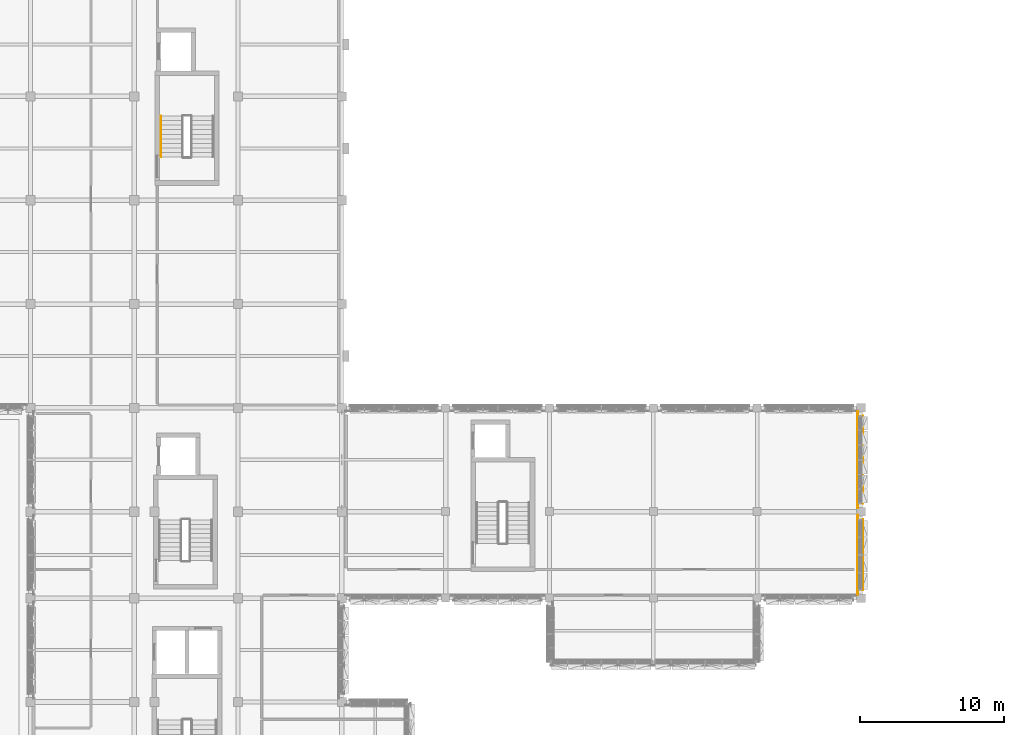
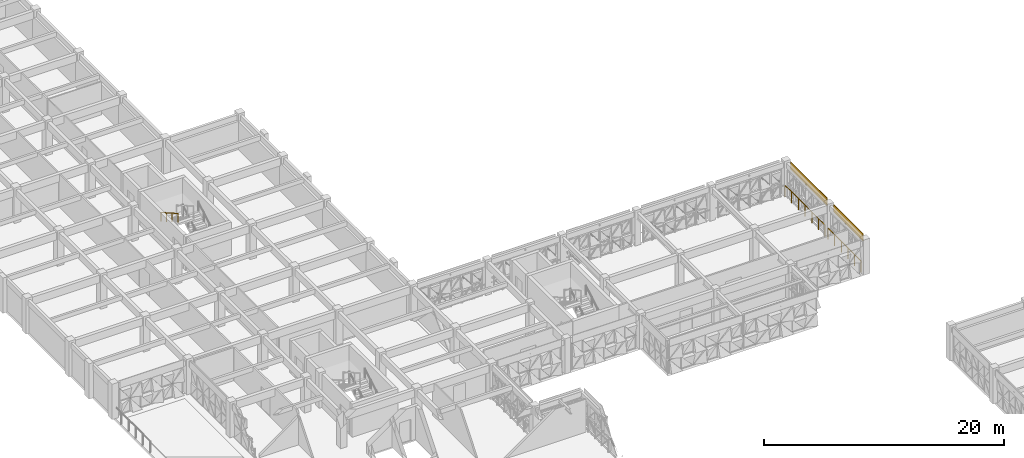
# One storey, part 74 of 85: 3 railings, 2 coverings.
"""IFC4 building model written with IfcOpenShell, lengths in metres."""

from ifc_helpers import new_model, si_unit, direction, frame, origin, origin_2d, place, context, subcontext, project, spatial, polyline, circle, outline, extrude, material, layer, layer_set, type_object, element, save


model = new_model("IFC4")

# Units and contexts
model_context = context("Model", 3, precision=1e-05, world=origin(), true_north=direction((0.0, 1.0)))
body_context = subcontext(model_context, "Body", "Model", "MODEL_VIEW")
ifc_project = project(units=[si_unit("LENGTHUNIT", "METRE"), si_unit("AREAUNIT", "SQUARE_METRE"), si_unit("VOLUMEUNIT", "CUBIC_METRE"), si_unit("PLANEANGLEUNIT", "RADIAN"), si_unit("MASSUNIT", "GRAM", prefix="KILO")], contexts=[model_context])

# Site, building, storey
site_placement = place(None, origin())
site = spatial("IfcSite", under=ifc_project, at=site_placement, CompositionType="ELEMENT")
building_placement = place(site_placement, origin())
building = spatial("IfcBuilding", under=site, at=building_placement, Name="Alvorim Cloister Faculty of Sciences", CompositionType="ELEMENT")
storey_placement = place(building_placement, frame((0.0, 0.0, 8.550048828125)))
storey = spatial("IfcBuildingStorey", under=building, at=storey_placement, Name="L02", CompositionType="ELEMENT", Elevation=8.550048828125)

# Coverings
ifc_material_1 = material(Name="Anodised Aluminium Alloy 6063-T6", Category="aluminium")
ifc_layer = layer(ifc_material_1, 0.031982421875)
ifc_layer_set = layer_set([ifc_layer], Name="Anodised Aluminium Alloy 6063-T6")
covering_type = type_object("IfcCoveringType", Name="COV-FAC-CAS", PredefinedType="CLADDING", material=ifc_layer_set)
covering_1_placement = place(storey_placement, frame((64.949951171875, 49.739990234375, 2.829833984375), z_axis=(0.0, 0.0, 1.0), x_axis=(0.0, 1.0, 0.0)))
element("IfcCovering", 1, at=covering_1_placement, inside=storey, type_object=covering_type, Name="L02 Shifted Bar Slab-Edge Architectural Fascia", PredefinedType="CLADDING", context=body_context, shape_type="SweptSolid", body=[
    extrude(outline(polyline([(0.0, 0.0), (6.1201171875, 0.0), (6.1201171875, 0.760009765625), (0.0, 0.760009765625), (0.0, 0.0)])), frame((0.0, 0.0224609375, 0.0), z_axis=(0.0, -1.0, 0.0), x_axis=(1.0, 0.0, 0.0)), (0.0, 0.0, 1.0), 0.044921875),
])
covering_2_placement = place(storey_placement, frame((64.949951171875, 43.739990234375, 2.829833984375), z_axis=(0.0, 0.0, 1.0), x_axis=(0.0, 1.0, 0.0)))
element("IfcCovering", 2, at=covering_2_placement, inside=storey, type_object=covering_type, Name="L02 Shifted Bar Slab-Edge Architectural Fascia", PredefinedType="CLADDING", context=body_context, shape_type="SweptSolid", body=[
    extrude(outline(polyline([(0.0, 0.0), (4.919921875, 0.0), (4.919921875, 0.760009765625), (0.0, 0.760009765625), (0.0, 0.0)])), frame((0.0, 0.0224609375, 0.0), z_axis=(0.0, -1.0, 0.0), x_axis=(1.0, 0.0, 0.0)), (0.0, 0.0, 1.0), 0.044921875),
])

# Railings
ifc_material_2 = material(Name="Laminated Safety Glass and Bronze", Category="glass")
railing_type_1 = type_object("IfcRailingType", Name="RL-ATR-BAL-1150", PredefinedType="BALUSTRADE", material=ifc_material_2)
railing_1_placement = place(storey_placement, frame((64.580078125, 49.449951171875, 0.0)))
element("IfcRailing", 3, at=railing_1_placement, inside=storey, type_object=railing_type_1, Name="L02 Curtain Wall Sill Guard BL-55", PredefinedType="BALUSTRADE", context=body_context, shape_type="SweptSolid", body=[
    extrude(circle(Radius=0.02392578125, at=origin_2d()), frame((0.0, 0.0, 1.1259765625), z_axis=(0.0, 1.0, 0.0), x_axis=(-1.0, 0.0, 0.0)), (0.0, 0.0, 1.0), 6.699951171875),
    extrude(circle(Radius=0.02099609375, at=origin_2d()), origin(), (0.0, 0.0, 1.0), 1.101806640625),
    extrude(circle(Radius=0.02099609375, at=origin_2d()), frame((0.0, 1.11669921875, 0.0)), (0.0, 0.0, 1.0), 1.101806640625),
    extrude(circle(Radius=0.02099609375, at=origin_2d()), frame((0.0, 2.2333984375, 0.0)), (0.0, 0.0, 1.0), 1.101806640625),
    extrude(circle(Radius=0.02099609375, at=origin_2d()), frame((0.0, 3.35009765625, 0.0)), (0.0, 0.0, 1.0), 1.101806640625),
    extrude(circle(Radius=0.02099609375, at=origin_2d()), frame((0.0, 4.466552734375, 0.0)), (0.0, 0.0, 1.0), 1.101806640625),
    extrude(circle(Radius=0.02099609375, at=origin_2d()), frame((0.0, 5.583251953125, 0.0)), (0.0, 0.0, 1.0), 1.101806640625),
    extrude(circle(Radius=0.02099609375, at=origin_2d()), frame((0.0, 6.699951171875, 0.0)), (0.0, 0.0, 1.0), 1.101806640625),
])
railing_2_placement = place(storey_placement, frame((64.580078125, 43.449951171875, 0.0)))
element("IfcRailing", 4, at=railing_2_placement, inside=storey, type_object=railing_type_1, Name="L02 Curtain Wall Sill Guard BL-56", PredefinedType="BALUSTRADE", context=body_context, shape_type="SweptSolid", body=[
    extrude(circle(Radius=0.02392578125, at=origin_2d()), frame((0.0, 0.0, 1.1259765625), z_axis=(0.0, 1.0, 0.0), x_axis=(-1.0, 0.0, 0.0)), (0.0, 0.0, 1.0), 5.5),
    extrude(circle(Radius=0.02099609375, at=origin_2d()), origin(), (0.0, 0.0, 1.0), 1.101806640625),
    extrude(circle(Radius=0.02099609375, at=origin_2d()), frame((0.0, 1.10009765625, 0.0)), (0.0, 0.0, 1.0), 1.101806640625),
    extrude(circle(Radius=0.02099609375, at=origin_2d()), frame((0.0, 2.199951171875, 0.0)), (0.0, 0.0, 1.0), 1.101806640625),
    extrude(circle(Radius=0.02099609375, at=origin_2d()), frame((0.0, 3.300048828125, 0.0)), (0.0, 0.0, 1.0), 1.101806640625),
    extrude(circle(Radius=0.02099609375, at=origin_2d()), frame((0.0, 4.39990234375, 0.0)), (0.0, 0.0, 1.0), 1.101806640625),
    extrude(circle(Radius=0.02099609375, at=origin_2d()), frame((0.0, 5.5, 0.0)), (0.0, 0.0, 1.0), 1.101806640625),
])
ifc_material_3 = material(Name="Brushed Stainless Steel", Category="steel")
railing_type_2 = type_object("IfcRailingType", Name="RL-STR-HAND", PredefinedType="HANDRAIL", material=ifc_material_3)
railing_3_placement = place(storey_placement, frame((16.25, 76.635009765625, 1.97998046875)))
element("IfcRailing", 5, at=railing_3_placement, inside=storey, type_object=railing_type_2, Name="L02 ST-05 stair handrail 2", PredefinedType="HANDRAIL", context=body_context, shape_type="SweptSolid", body=[
    extrude(circle(Radius=0.02392578125, at=origin_2d()), frame((0.0, 0.0, 0.8759765625), z_axis=(0.0, -0.868256945921, 0.496114780932), x_axis=(1.0, 0.0, 0.0)), (0.0, 0.0, 1.0), 3.26513671875),
    extrude(circle(Radius=0.02099609375, at=origin_2d()), origin(), (0.0, 0.0, 1.0), 0.851806640625),
    extrude(circle(Radius=0.02099609375, at=origin_2d()), frame((0.0, -0.945068359375, 0.5400390625)), (0.0, 0.0, 1.0), 0.851806640625),
    extrude(circle(Radius=0.02099609375, at=origin_2d()), frame((0.0, -1.889892578125, 1.079833984375)), (0.0, 0.0, 1.0), 0.851806640625),
    extrude(circle(Radius=0.02099609375, at=origin_2d()), frame((0.0, -2.8349609375, 1.619873046875)), (0.0, 0.0, 1.0), 0.851806640625),
])

save(model, "model.ifc")
